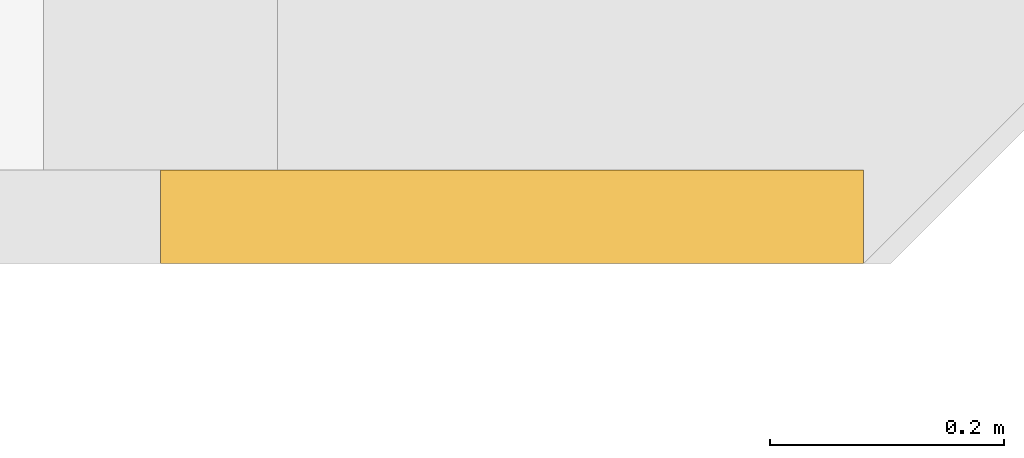
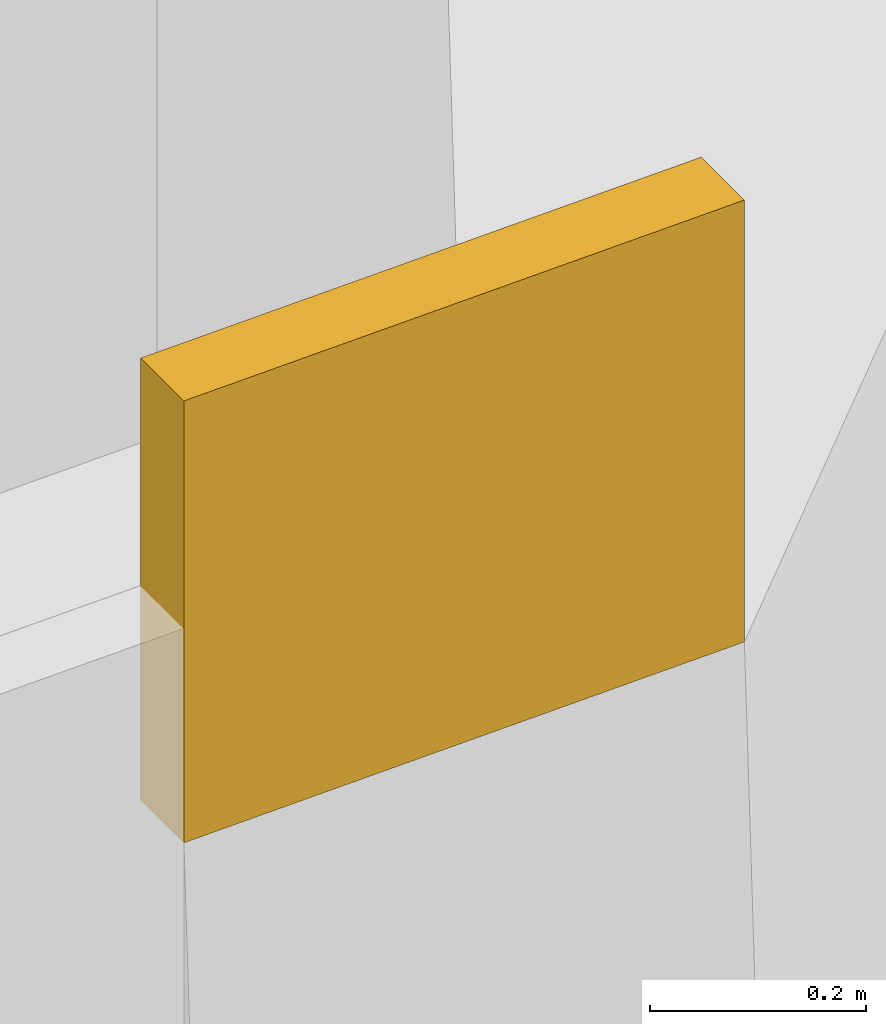
# One storey, part 28 of 29: 1 covering.
"""IFC4 building model written with IfcOpenShell, lengths in metres."""

from ifc_helpers import new_model, si_unit, direction, frame, origin, place, context, subcontext, project, spatial, polyline, outline, extrude, material, layer, layer_set, type_object, element, save


model = new_model("IFC4")

# Units and contexts
model_context = context("Model", 3, precision=1e-05, world=origin(), true_north=direction((0.0, 1.0)))
body_context = subcontext(model_context, "Body", "Model", "MODEL_VIEW")
ifc_project = project(units=[si_unit("LENGTHUNIT", "METRE"), si_unit("AREAUNIT", "SQUARE_METRE"), si_unit("VOLUMEUNIT", "CUBIC_METRE"), si_unit("PLANEANGLEUNIT", "RADIAN"), si_unit("MASSUNIT", "GRAM", prefix="KILO")], contexts=[model_context])

# Site, building, storey
site_placement = place(None, origin())
site = spatial("IfcSite", under=ifc_project, at=site_placement, CompositionType="ELEMENT")
building_placement = place(site_placement, origin())
building = spatial("IfcBuilding", under=site, at=building_placement, Name="Saffron Gate Tower", CompositionType="ELEMENT")
storey_placement = place(building_placement, frame((0.0, 0.0, 113.25)))
storey = spatial("IfcBuildingStorey", under=building, at=storey_placement, Name="L26", CompositionType="ELEMENT", Elevation=113.25)

# Covering
ifc_material = material(Name="Timber, thermally modified ash", Category="wood")
ifc_layer = layer(ifc_material, 0.080078125)
ifc_layer_set = layer_set([ifc_layer], Name="LD2 ledge planter trough")
covering_type = type_object("IfcCoveringType", Name="LD2 ledge planter trough", PredefinedType="CLADDING", material=ifc_layer_set)
covering_placement = place(storey_placement, frame((49.800048828125, 32.39990234375, 3.19580078125), z_axis=(0.0, -1.0, 0.0), x_axis=(0.999582742162, 0.0, 0.028884971385)))
element("IfcCovering", 1, at=covering_placement, inside=storey, type_object=covering_type, Name="LEDGE planter trough", PredefinedType="CLADDING", context=body_context, shape_type="SweptSolid", body=[
    extrude(outline(polyline([(0.0, 0.0), (0.6001039136866089, 0.0), (0.614546399379222, 0.4997913710809928), (0.014442485692613144, 0.49979137108099286), (0.0, 0.0)])), origin(), (0.0, 0.0, -1.0), 0.080078125),
])

save(model, "model.ifc")
